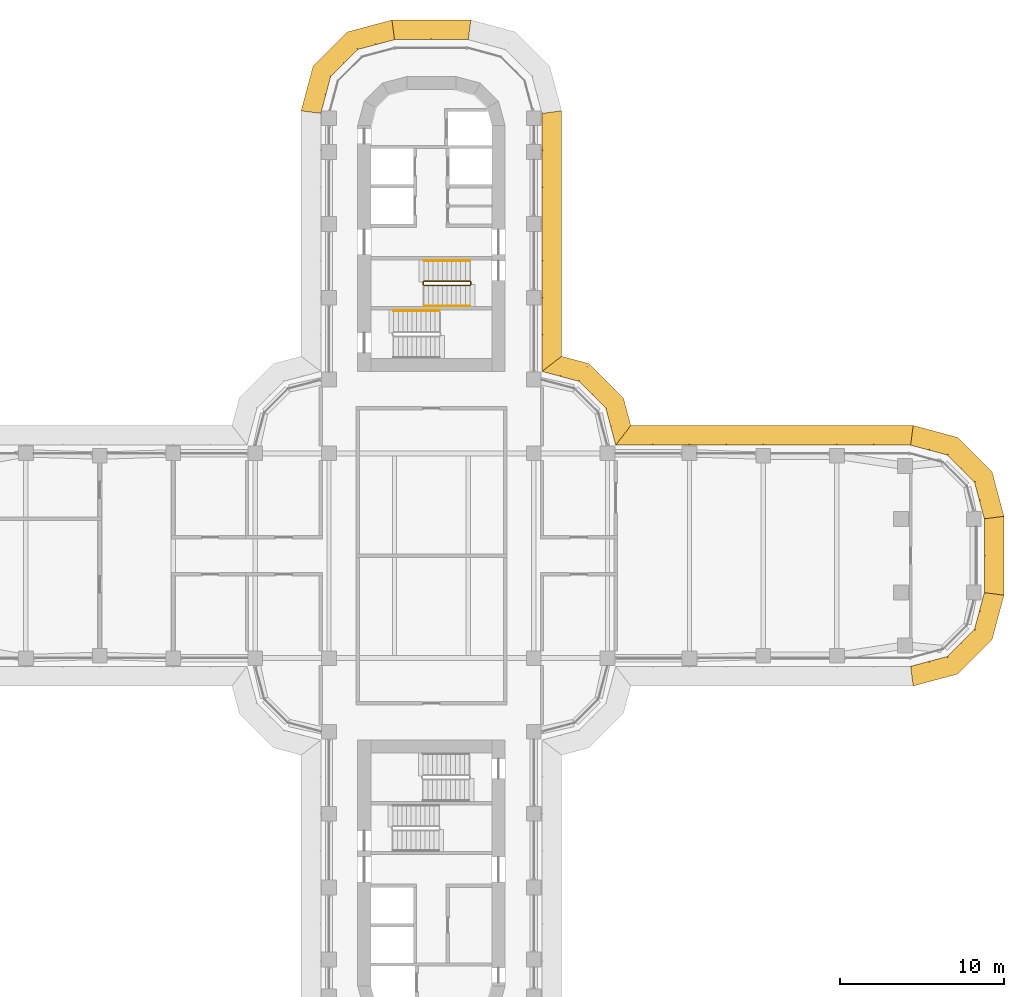
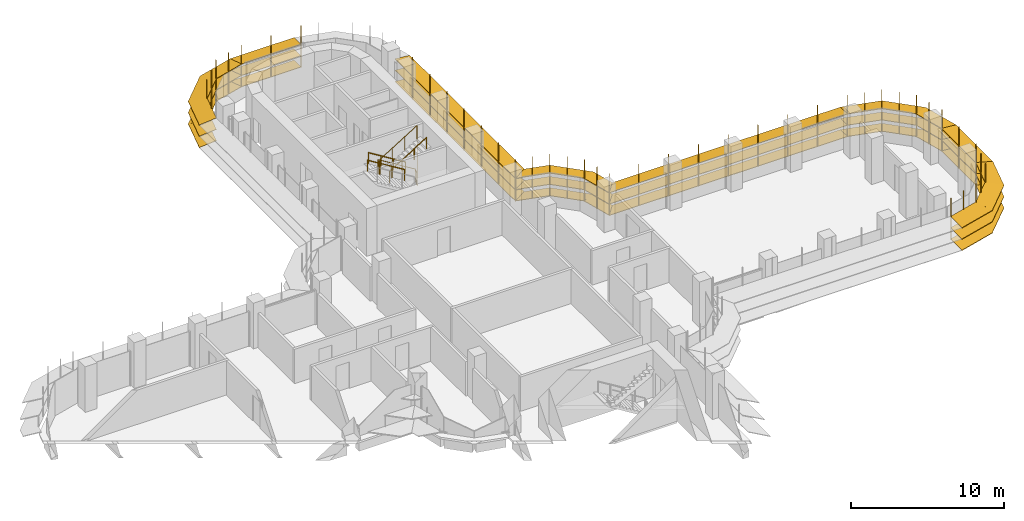
# One storey, part 20 of 21: 8 shading devices, 4 railings.
"""IFC4 building model written with IfcOpenShell, lengths in metres."""

from ifc_helpers import new_model, si_unit, direction, frame, origin, origin_2d, place, context, subcontext, project, spatial, polyline, circle, outline, extrude, faceted_brep, source, transform, mapped, material, type_object, element, save


model = new_model("IFC4")

# Units and contexts
model_context = context("Model", 3, precision=1e-05, world=origin(), true_north=direction((0.0, 1.0)))
body_context = subcontext(model_context, "Body", "Model", "MODEL_VIEW")
ifc_project = project(units=[si_unit("LENGTHUNIT", "METRE"), si_unit("AREAUNIT", "SQUARE_METRE"), si_unit("VOLUMEUNIT", "CUBIC_METRE"), si_unit("PLANEANGLEUNIT", "RADIAN"), si_unit("MASSUNIT", "GRAM", prefix="KILO")], contexts=[model_context])

# Site, building, storey
site_placement = place(None, origin())
site = spatial("IfcSite", under=ifc_project, at=site_placement, CompositionType="ELEMENT")
building_placement = place(site_placement, origin())
building = spatial("IfcBuilding", under=site, at=building_placement, Name="Zarbagh Exchange Tower", CompositionType="ELEMENT")
storey_placement = place(building_placement, frame((0.0, 0.0, 117.0)))
storey = spatial("IfcBuildingStorey", under=building, at=storey_placement, Name="L27", CompositionType="ELEMENT", Elevation=117.0)

# Railings
ifc_material_1 = material(Name="Stainless steel", Category="steel")
railing_type_1 = type_object("IfcRailingType", Name="Stair guard 1100 mm", PredefinedType="GUARDRAIL", material=ifc_material_1)
railing_1_placement = place(storey_placement, frame((-0.449951171875, 16.5, 2.07275390625)))
element("IfcRailing", 1, at=railing_1_placement, inside=storey, type_object=railing_type_1, Name="ST1 stair guard 1", PredefinedType="GUARDRAIL", context=body_context, shape_type="SweptSolid", body=[
    extrude(circle(Radius=0.02392578125, at=origin_2d()), frame((0.0, 0.0, 1.076171875), z_axis=(0.851089632645, 0.0, 0.525020415988), x_axis=(0.0, 1.0, 0.0)), (0.0, 0.0, 1.0), 3.2900390625),
    extrude(circle(Radius=0.02392578125, at=origin_2d()), frame((2.800048828125, 0.0, 2.80322265625), z_axis=(0.013104066473, 0.013168302093, -0.99982742474), x_axis=(-0.708833529934, 0.705375805398, 0.0)), (0.0, 0.0, 1.0), 3.80078125),
    extrude(circle(Radius=0.02392578125, at=origin_2d()), frame((2.849853515625, 0.050048828125, -0.99658203125), z_axis=(0.0, 1.0, 0.0), x_axis=(-1.0, 0.0, 0.0)), (0.0, 0.0, 1.0), 0.14990234375),
    extrude(circle(Radius=0.02392578125, at=origin_2d()), frame((2.849853515625, 0.199951171875, -0.99658203125), z_axis=(-0.267062837333, 0.268371968888, 0.925556009775), x_axis=(-0.708833529934, -0.705375805398, 0.0)), (0.0, 0.0, 1.0), 0.1865234375),
    extrude(circle(Radius=0.02392578125, at=origin_2d()), frame((2.800048828125, 0.25, -0.82421875), z_axis=(-0.851089632645, 0.0, 0.525020415988), x_axis=(0.0, -1.0, 0.0)), (0.0, 0.0, 1.0), 3.2900390625),
    extrude(circle(Radius=0.02392578125, at=origin_2d()), frame((0.0, 0.25, 0.9033203125), z_axis=(-0.707106781187, -0.707106781187, 0.0), x_axis=(0.707106781187, -0.707106781187, 0.0)), (0.0, 0.0, 1.0), 0.07080078125),
    extrude(circle(Radius=0.02392578125, at=origin_2d()), frame((-0.050048828125, 0.199951171875, 0.9033203125), z_axis=(0.0, -1.0, 0.0), x_axis=(1.0, 0.0, 0.0)), (0.0, 0.0, 1.0), 0.14990234375),
    extrude(circle(Radius=0.02099609375, at=origin_2d()), origin(), (0.0, 0.0, 1.0), 1.052001953125),
    extrude(circle(Radius=0.02099609375, at=origin_2d()), frame((0.933349609375, 0.0, 0.57568359375)), (0.0, 0.0, 1.0), 1.052001953125),
    extrude(circle(Radius=0.02099609375, at=origin_2d()), frame((1.86669921875, 0.0, 1.151611328125)), (0.0, 0.0, 1.0), 1.052001953125),
    extrude(circle(Radius=0.02099609375, at=origin_2d()), frame((2.800048828125, 0.0, 1.727294921875)), (0.0, 0.0, 1.0), 1.052001953125),
    extrude(circle(Radius=0.02099609375, at=origin_2d()), frame((2.8125, 0.012451171875, 0.77734375)), (0.0, 0.0, 1.0), 1.052001953125),
    extrude(circle(Radius=0.02099609375, at=origin_2d()), frame((2.824951171875, 0.02490234375, -0.1728515625)), (0.0, 0.0, 1.0), 1.052001953125),
    extrude(circle(Radius=0.02099609375, at=origin_2d()), frame((2.83740234375, 0.03759765625, -1.122802734375)), (0.0, 0.0, 1.0), 1.052001953125),
    extrude(circle(Radius=0.02099609375, at=origin_2d()), frame((2.849853515625, 0.050048828125, -2.07275390625)), (0.0, 0.0, 1.0), 1.052001953125),
    extrude(circle(Radius=0.02099609375, at=origin_2d()), frame((2.849853515625, 0.199951171875, -2.07275390625)), (0.0, 0.0, 1.0), 1.052001953125),
    extrude(circle(Radius=0.02099609375, at=origin_2d()), frame((2.800048828125, 0.25, -1.900146484375)), (0.0, 0.0, 1.0), 1.052001953125),
    extrude(circle(Radius=0.02099609375, at=origin_2d()), frame((1.86669921875, 0.25, -1.324462890625)), (0.0, 0.0, 1.0), 1.052001953125),
    extrude(circle(Radius=0.02099609375, at=origin_2d()), frame((0.933349609375, 0.25, -0.74853515625)), (0.0, 0.0, 1.0), 1.052001953125),
    extrude(circle(Radius=0.02099609375, at=origin_2d()), frame((0.0, 0.25, -0.1728515625)), (0.0, 0.0, 1.0), 1.052001953125),
    extrude(circle(Radius=0.02099609375, at=origin_2d()), frame((-0.050048828125, 0.199951171875, -0.1728515625)), (0.0, 0.0, 1.0), 1.052001953125),
    extrude(circle(Radius=0.02099609375, at=origin_2d()), frame((-0.050048828125, 0.050048828125, -0.1728515625)), (0.0, 0.0, 1.0), 1.052001953125),
])
railing_type_2 = type_object("IfcRailingType", Name="Stair handrail 900 mm", PredefinedType="HANDRAIL", material=ifc_material_1)
railing_2_placement = place(storey_placement, frame((2.35009765625, 18.0, 0.172607421875)))
element("IfcRailing", 2, at=railing_2_placement, inside=storey, type_object=railing_type_2, Name="ST1 stair handrail 1", PredefinedType="HANDRAIL", context=body_context, shape_type="SweptSolid", body=[
    extrude(circle(Radius=0.02392578125, at=origin_2d()), frame((0.0, 0.0, 0.8759765625), z_axis=(-0.851089632645, 0.0, 0.525020415988), x_axis=(0.0, -1.0, 0.0)), (0.0, 0.0, 1.0), 3.2900390625),
    extrude(circle(Radius=0.02099609375, at=origin_2d()), origin(), (0.0, 0.0, 1.0), 0.851806640625),
    extrude(circle(Radius=0.02099609375, at=origin_2d()), frame((-0.933349609375, 0.0, 0.57568359375)), (0.0, 0.0, 1.0), 0.851806640625),
    extrude(circle(Radius=0.02099609375, at=origin_2d()), frame((-1.86669921875, 0.0, 1.151611328125)), (0.0, 0.0, 1.0), 0.851806640625),
    extrude(circle(Radius=0.02099609375, at=origin_2d()), frame((-2.800048828125, 0.0, 1.727294921875)), (0.0, 0.0, 1.0), 0.851806640625),
])
railing_3_placement = place(storey_placement, frame((-0.449951171875, 15.25, 2.07275390625)))
element("IfcRailing", 3, at=railing_3_placement, inside=storey, type_object=railing_type_2, Name="ST1 stair handrail 2", PredefinedType="HANDRAIL", context=body_context, shape_type="SweptSolid", body=[
    extrude(circle(Radius=0.02392578125, at=origin_2d()), frame((0.0, 0.0, 0.8759765625), z_axis=(0.851089632645, 0.0, 0.525020415988), x_axis=(0.0, 1.0, 0.0)), (0.0, 0.0, 1.0), 3.2900390625),
    extrude(circle(Radius=0.02099609375, at=origin_2d()), origin(), (0.0, 0.0, 1.0), 0.851806640625),
    extrude(circle(Radius=0.02099609375, at=origin_2d()), frame((0.933349609375, 0.0, 0.57568359375)), (0.0, 0.0, 1.0), 0.851806640625),
    extrude(circle(Radius=0.02099609375, at=origin_2d()), frame((1.86669921875, 0.0, 1.151611328125)), (0.0, 0.0, 1.0), 0.851806640625),
    extrude(circle(Radius=0.02099609375, at=origin_2d()), frame((2.800048828125, 0.0, 1.727294921875)), (0.0, 0.0, 1.0), 0.851806640625),
])
railing_4_placement = place(storey_placement, frame((0.5, 14.949951171875, 2.07275390625)))
element("IfcRailing", 4, at=railing_4_placement, inside=storey, type_object=railing_type_2, Name="ST2 stair handrail 2", PredefinedType="HANDRAIL", context=body_context, shape_type="SweptSolid", body=[
    extrude(circle(Radius=0.02392578125, at=origin_2d()), frame((0.0, 0.0, 0.8759765625), z_axis=(-0.851089632645, 0.0, 0.525020415988), x_axis=(0.0, -1.0, 0.0)), (0.0, 0.0, 1.0), 3.2900390625),
    extrude(circle(Radius=0.02099609375, at=origin_2d()), origin(), (0.0, 0.0, 1.0), 0.851806640625),
    extrude(circle(Radius=0.02099609375, at=origin_2d()), frame((-0.933349609375, 0.0, 0.57568359375)), (0.0, 0.0, 1.0), 0.851806640625),
    extrude(circle(Radius=0.02099609375, at=origin_2d()), frame((-1.86669921875, 0.0, 1.151611328125)), (0.0, 0.0, 1.0), 0.851806640625),
    extrude(circle(Radius=0.02099609375, at=origin_2d()), frame((-2.800048828125, 0.0, 1.727294921875)), (0.0, 0.0, 1.0), 0.851806640625),
])

# Shading devices
ifc_material_2 = material(Name="Anodised aluminium blades and brackets", Category="aluminium")
shading_device_type = type_object("IfcShadingDeviceType", Name="SUNSHADE louvre band, 11.25 degree blades", PredefinedType="JALOUSIE", material=ifc_material_2)
shared_shape_1 = source(origin(), body_context, "Body", "Brep", [
    faceted_brep([(0.0, 0.0, 0.0), (0.0, 0.0, -0.040771484375), (-0.157958984375, -1.199951171875, -0.279541015625), (-0.157958984375, -1.199951171875, -0.23876953125), (2.65087890625, -1.199951171875, -0.23876953125), (2.65087890625, -1.199951171875, -0.279541015625), (2.329345703125, 0.0, -0.040771484375), (2.329345703125, 0.0, 0.0)], [[[0, 1, 2, 3]], [[4, 5, 6, 7]], [[0, 7, 6, 1]], [[1, 6, 5, 2]], [[2, 5, 4, 3]], [[3, 4, 7, 0]]]),
])
shared_shape_2 = source(origin(), body_context, "Body", "Brep", [
    faceted_brep([(0.0, 0.0, 0.0), (0.0, 0.0, -0.040771484375), (-0.321533203125, -1.199951171875, -0.279541015625), (-0.321533203125, -1.199951171875, -0.23876953125), (2.65087890625, -1.199951171875, -0.23876953125), (2.65087890625, -1.199951171875, -0.279541015625), (2.329345703125, 0.0, -0.040771484375), (2.329345703125, 0.0, 0.0)], [[[0, 1, 2, 3]], [[4, 5, 6, 7]], [[0, 7, 6, 1]], [[1, 6, 5, 2]], [[2, 5, 4, 3]], [[3, 4, 7, 0]]]),
])
shared_shape_3 = source(origin(), body_context, "Body", "Brep", [
    faceted_brep([(0.0, 0.0, 0.0), (0.0, 0.0, -0.040771484375), (-0.321533203125, -1.199951171875, -0.279541015625), (-0.321533203125, -1.199951171875, -0.23876953125), (2.4873046875, -1.199951171875, -0.23876953125), (2.4873046875, -1.199951171875, -0.279541015625), (2.329345703125, 0.0, -0.040771484375), (2.329345703125, 0.0, 0.0)], [[[0, 1, 2, 3]], [[4, 5, 6, 7]], [[0, 7, 6, 1]], [[1, 6, 5, 2]], [[2, 5, 4, 3]], [[3, 4, 7, 0]]]),
])
shared_shape_4 = source(origin(), body_context, "Body", "SweptSolid", [
    extrude(outline(polyline([(0.0, -0.012451171875), (0.06005859375, -0.012451171875), (0.06005859375, 0.012451171875), (0.0, 0.012451171875), (0.0, -0.012451171875)])), origin(), (0.0, 0.0, 1.0), 3.350830078125),
])
placement = place(storey_placement, origin())
element("IfcShadingDevice", 5, at=placement, inside=storey, type_object=shading_device_type, Name="SS05 sunshade band", PredefinedType="JALOUSIE", context=body_context, shape_type="MappedRepresentation", body=[
    mapped(shared_shape_1, transform((29.25, -6.75, 2.300048828125), x_axis=(0.965924289636, 0.258824779902, 0.0), y_axis=(-0.258824779902, 0.965924289636, 0.0), z_axis=(0.0, 0.0, 1.0))),
    mapped(shared_shape_1, transform((29.25, -6.75, 1.39990234375), x_axis=(0.965924289636, 0.258824779902, 0.0), y_axis=(-0.258824779902, 0.965924289636, 0.0), z_axis=(0.0, 0.0, 1.0))),
    mapped(shared_shape_1, transform((29.25, -6.75, 0.5), x_axis=(0.965924289636, 0.258824779902, 0.0), y_axis=(-0.258824779902, 0.965924289636, 0.0), z_axis=(0.0, 0.0, 1.0))),
    mapped(shared_shape_2, transform((31.5, -6.147216796875, 2.300048828125), x_axis=(0.707106781187, 0.707106781187, 0.0), y_axis=(-0.707106781187, 0.707106781187, 0.0), z_axis=(0.0, 0.0, 1.0))),
    mapped(shared_shape_2, transform((31.5, -6.147216796875, 1.39990234375), x_axis=(0.707106781187, 0.707106781187, 0.0), y_axis=(-0.707106781187, 0.707106781187, 0.0), z_axis=(0.0, 0.0, 1.0))),
    mapped(shared_shape_2, transform((31.5, -6.147216796875, 0.5), x_axis=(0.707106781187, 0.707106781187, 0.0), y_axis=(-0.707106781187, 0.707106781187, 0.0), z_axis=(0.0, 0.0, 1.0))),
    mapped(shared_shape_3, transform((33.147216796875, -4.5, 2.300048828125), x_axis=(0.258824779902, 0.965924289636, 0.0), y_axis=(-0.965924289636, 0.258824779902, 0.0), z_axis=(0.0, 0.0, 1.0))),
    mapped(shared_shape_3, transform((33.147216796875, -4.5, 1.39990234375), x_axis=(0.258824779902, 0.965924289636, 0.0), y_axis=(-0.965924289636, 0.258824779902, 0.0), z_axis=(0.0, 0.0, 1.0))),
    mapped(shared_shape_3, transform((33.147216796875, -4.5, 0.5), x_axis=(0.258824779902, 0.965924289636, 0.0), y_axis=(-0.965924289636, 0.258824779902, 0.0), z_axis=(0.0, 0.0, 1.0))),
    mapped(shared_shape_4, transform((29.25, -6.75, 0.42919921875), x_axis=(0.130529263012, -0.991444457092, 0.0), y_axis=(0.991444457092, 0.130529263012, 0.0), z_axis=(0.0, 0.0, 1.0))),
    mapped(shared_shape_4, transform((30.375, -6.448486328125, 0.42919921875), x_axis=(0.258825058029, -0.96592421511, 0.0), y_axis=(0.96592421511, 0.258825058029, 0.0), z_axis=(0.0, 0.0, 1.0))),
    mapped(shared_shape_4, transform((31.5, -6.147216796875, 0.42919921875), x_axis=(0.50000275701, -0.866023812018, 0.0), y_axis=(0.866023812018, 0.50000275701, 0.0), z_axis=(0.0, 0.0, 1.0))),
    mapped(shared_shape_4, transform((32.323486328125, -5.323486328125, 0.42919921875), x_axis=(0.707106781187, -0.707106781187, 0.0), y_axis=(0.707106781187, 0.707106781187, 0.0), z_axis=(0.0, 0.0, 1.0))),
    mapped(shared_shape_4, transform((33.147216796875, -4.5, 0.42919921875), x_axis=(0.866023812018, -0.50000275701, 0.0), y_axis=(0.50000275701, 0.866023812018, 0.0), z_axis=(0.0, 0.0, 1.0))),
    mapped(shared_shape_4, transform((33.448486328125, -3.375, 0.42919921875), x_axis=(0.96592421511, -0.258825058029, 0.0), y_axis=(0.258825058029, 0.96592421511, 0.0), z_axis=(0.0, 0.0, 1.0))),
])
element("IfcShadingDevice", 6, at=placement, inside=storey, type_object=shading_device_type, Name="SS07 sunshade band", PredefinedType="JALOUSIE", context=body_context, shape_type="MappedRepresentation", body=[
    mapped(shared_shape_1, transform((33.75, 2.25, 2.300048828125), x_axis=(-0.258824779902, 0.965924289636, 0.0), y_axis=(-0.965924289636, -0.258824779902, 0.0), z_axis=(0.0, 0.0, 1.0))),
    mapped(shared_shape_1, transform((33.75, 2.25, 1.39990234375), x_axis=(-0.258824779902, 0.965924289636, 0.0), y_axis=(-0.965924289636, -0.258824779902, 0.0), z_axis=(0.0, 0.0, 1.0))),
    mapped(shared_shape_1, transform((33.75, 2.25, 0.5), x_axis=(-0.258824779902, 0.965924289636, 0.0), y_axis=(-0.965924289636, -0.258824779902, 0.0), z_axis=(0.0, 0.0, 1.0))),
    mapped(shared_shape_2, transform((33.147216796875, 4.5, 2.300048828125), x_axis=(-0.707106781187, 0.707106781187, 0.0), y_axis=(-0.707106781187, -0.707106781187, 0.0), z_axis=(0.0, 0.0, 1.0))),
    mapped(shared_shape_2, transform((33.147216796875, 4.5, 1.39990234375), x_axis=(-0.707106781187, 0.707106781187, 0.0), y_axis=(-0.707106781187, -0.707106781187, 0.0), z_axis=(0.0, 0.0, 1.0))),
    mapped(shared_shape_2, transform((33.147216796875, 4.5, 0.5), x_axis=(-0.707106781187, 0.707106781187, 0.0), y_axis=(-0.707106781187, -0.707106781187, 0.0), z_axis=(0.0, 0.0, 1.0))),
    mapped(shared_shape_3, transform((31.5, 6.147216796875, 2.300048828125), x_axis=(-0.965924289636, 0.258824779902, 0.0), y_axis=(-0.258824779902, -0.965924289636, 0.0), z_axis=(0.0, 0.0, 1.0))),
    mapped(shared_shape_3, transform((31.5, 6.147216796875, 1.39990234375), x_axis=(-0.965924289636, 0.258824779902, 0.0), y_axis=(-0.258824779902, -0.965924289636, 0.0), z_axis=(0.0, 0.0, 1.0))),
    mapped(shared_shape_3, transform((31.5, 6.147216796875, 0.5), x_axis=(-0.965924289636, 0.258824779902, 0.0), y_axis=(-0.258824779902, -0.965924289636, 0.0), z_axis=(0.0, 0.0, 1.0))),
    mapped(shared_shape_4, transform((33.75, 2.25, 0.42919921875), x_axis=(0.991444457092, 0.130529263012, 0.0), y_axis=(-0.130529263012, 0.991444457092, 0.0), z_axis=(0.0, 0.0, 1.0))),
    mapped(shared_shape_4, transform((33.448486328125, 3.375, 0.42919921875), x_axis=(0.96592421511, 0.258825058029, 0.0), y_axis=(-0.258825058029, 0.96592421511, 0.0), z_axis=(0.0, 0.0, 1.0))),
    mapped(shared_shape_4, transform((33.147216796875, 4.5, 0.42919921875), x_axis=(0.866023812018, 0.50000275701, 0.0), y_axis=(-0.50000275701, 0.866023812018, 0.0), z_axis=(0.0, 0.0, 1.0))),
    mapped(shared_shape_4, transform((32.323486328125, 5.323486328125, 0.42919921875), x_axis=(0.707106781187, 0.707106781187, 0.0), y_axis=(-0.707106781187, 0.707106781187, 0.0), z_axis=(0.0, 0.0, 1.0))),
    mapped(shared_shape_4, transform((31.5, 6.147216796875, 0.42919921875), x_axis=(0.50000275701, 0.866023812018, 0.0), y_axis=(-0.866023812018, 0.50000275701, 0.0), z_axis=(0.0, 0.0, 1.0))),
    mapped(shared_shape_4, transform((30.375, 6.448486328125, 0.42919921875), x_axis=(0.258825058029, 0.96592421511, 0.0), y_axis=(-0.96592421511, 0.258825058029, 0.0), z_axis=(0.0, 0.0, 1.0))),
])
element("IfcShadingDevice", 7, at=placement, inside=storey, type_object=shading_device_type, Name="SS28 sunshade band", PredefinedType="JALOUSIE", context=body_context, shape_type="MappedRepresentation", body=[
    mapped(shared_shape_1, transform((-2.25, 31.5, 2.300048828125), x_axis=(-0.965924289636, -0.258824779902, 0.0), y_axis=(0.258824779902, -0.965924289636, 0.0), z_axis=(0.0, 0.0, 1.0))),
    mapped(shared_shape_1, transform((-2.25, 31.5, 1.39990234375), x_axis=(-0.965924289636, -0.258824779902, 0.0), y_axis=(0.258824779902, -0.965924289636, 0.0), z_axis=(0.0, 0.0, 1.0))),
    mapped(shared_shape_1, transform((-2.25, 31.5, 0.5), x_axis=(-0.965924289636, -0.258824779902, 0.0), y_axis=(0.258824779902, -0.965924289636, 0.0), z_axis=(0.0, 0.0, 1.0))),
    mapped(shared_shape_2, transform((-4.5, 30.897216796875, 2.300048828125), x_axis=(-0.707106781187, -0.707106781187, 0.0), y_axis=(0.707106781187, -0.707106781187, 0.0), z_axis=(0.0, 0.0, 1.0))),
    mapped(shared_shape_2, transform((-4.5, 30.897216796875, 1.39990234375), x_axis=(-0.707106781187, -0.707106781187, 0.0), y_axis=(0.707106781187, -0.707106781187, 0.0), z_axis=(0.0, 0.0, 1.0))),
    mapped(shared_shape_2, transform((-4.5, 30.897216796875, 0.5), x_axis=(-0.707106781187, -0.707106781187, 0.0), y_axis=(0.707106781187, -0.707106781187, 0.0), z_axis=(0.0, 0.0, 1.0))),
    mapped(shared_shape_3, transform((-6.147216796875, 29.25, 2.300048828125), x_axis=(-0.258824779902, -0.965924289636, 0.0), y_axis=(0.965924289636, -0.258824779902, 0.0), z_axis=(0.0, 0.0, 1.0))),
    mapped(shared_shape_3, transform((-6.147216796875, 29.25, 1.39990234375), x_axis=(-0.258824779902, -0.965924289636, 0.0), y_axis=(0.965924289636, -0.258824779902, 0.0), z_axis=(0.0, 0.0, 1.0))),
    mapped(shared_shape_3, transform((-6.147216796875, 29.25, 0.5), x_axis=(-0.258824779902, -0.965924289636, 0.0), y_axis=(0.965924289636, -0.258824779902, 0.0), z_axis=(0.0, 0.0, 1.0))),
    mapped(shared_shape_4, transform((-2.25, 31.5, 0.42919921875), x_axis=(-0.130529263012, 0.991444457092, 0.0), y_axis=(-0.991444457092, -0.130529263012, 0.0), z_axis=(0.0, 0.0, 1.0))),
    mapped(shared_shape_4, transform((-3.375, 31.198486328125, 0.42919921875), x_axis=(-0.258825058029, 0.96592421511, 0.0), y_axis=(-0.96592421511, -0.258825058029, 0.0), z_axis=(0.0, 0.0, 1.0))),
    mapped(shared_shape_4, transform((-4.5, 30.897216796875, 0.42919921875), x_axis=(-0.50000275701, 0.866023812018, 0.0), y_axis=(-0.866023812018, -0.50000275701, 0.0), z_axis=(0.0, 0.0, 1.0))),
    mapped(shared_shape_4, transform((-5.323486328125, 30.073486328125, 0.42919921875), x_axis=(-0.707106781187, 0.707106781187, 0.0), y_axis=(-0.707106781187, -0.707106781187, 0.0), z_axis=(0.0, 0.0, 1.0))),
    mapped(shared_shape_4, transform((-6.147216796875, 29.25, 0.42919921875), x_axis=(-0.866023812018, 0.50000275701, 0.0), y_axis=(-0.50000275701, -0.866023812018, 0.0), z_axis=(0.0, 0.0, 1.0))),
    mapped(shared_shape_4, transform((-6.448486328125, 28.125, 0.42919921875), x_axis=(-0.96592421511, 0.258825058029, 0.0), y_axis=(-0.258825058029, -0.96592421511, 0.0), z_axis=(0.0, 0.0, 1.0))),
])
shared_shape_5 = source(origin(), body_context, "Body", "Brep", [
    faceted_brep([(0.0, 0.0, 0.0), (0.0, 0.0, -0.040771484375), (0.9208984375, -1.199951171875, -0.279541015625), (0.9208984375, -1.199951171875, -0.23876953125), (2.65087890625, -1.199951171875, -0.23876953125), (2.65087890625, -1.199951171875, -0.279541015625), (2.329345703125, 0.0, -0.040771484375), (2.329345703125, 0.0, 0.0)], [[[0, 1, 2, 3]], [[4, 5, 6, 7]], [[0, 7, 6, 1]], [[1, 6, 5, 2]], [[2, 5, 4, 3]], [[3, 4, 7, 0]]]),
])
shared_shape_6 = source(origin(), body_context, "Body", "Brep", [
    faceted_brep([(0.0, 0.0, 0.0), (0.0, 0.0, -0.040771484375), (-0.321533203125, -1.199951171875, -0.279541015625), (-0.321533203125, -1.199951171875, -0.23876953125), (1.40869140625, -1.199951171875, -0.23876953125), (1.40869140625, -1.199951171875, -0.279541015625), (2.329345703125, 0.0, -0.040771484375), (2.329345703125, 0.0, 0.0)], [[[0, 1, 2, 3]], [[4, 5, 6, 7]], [[0, 7, 6, 1]], [[1, 6, 5, 2]], [[2, 5, 4, 3]], [[3, 4, 7, 0]]]),
])
element("IfcShadingDevice", 8, at=placement, inside=storey, type_object=shading_device_type, Name="SS09 sunshade band", PredefinedType="JALOUSIE", context=body_context, shape_type="MappedRepresentation", body=[
    mapped(shared_shape_5, transform((11.25, 6.75, 2.300048828125), x_axis=(-0.258824779902, 0.965924289636, 0.0), y_axis=(-0.965924289636, -0.258824779902, 0.0), z_axis=(0.0, 0.0, 1.0))),
    mapped(shared_shape_5, transform((11.25, 6.75, 1.39990234375), x_axis=(-0.258824779902, 0.965924289636, 0.0), y_axis=(-0.965924289636, -0.258824779902, 0.0), z_axis=(0.0, 0.0, 1.0))),
    mapped(shared_shape_5, transform((11.25, 6.75, 0.5), x_axis=(-0.258824779902, 0.965924289636, 0.0), y_axis=(-0.965924289636, -0.258824779902, 0.0), z_axis=(0.0, 0.0, 1.0))),
    mapped(shared_shape_2, transform((10.647216796875, 9.0, 2.300048828125), x_axis=(-0.707106781187, 0.707106781187, 0.0), y_axis=(-0.707106781187, -0.707106781187, 0.0), z_axis=(0.0, 0.0, 1.0))),
    mapped(shared_shape_2, transform((10.647216796875, 9.0, 1.39990234375), x_axis=(-0.707106781187, 0.707106781187, 0.0), y_axis=(-0.707106781187, -0.707106781187, 0.0), z_axis=(0.0, 0.0, 1.0))),
    mapped(shared_shape_2, transform((10.647216796875, 9.0, 0.5), x_axis=(-0.707106781187, 0.707106781187, 0.0), y_axis=(-0.707106781187, -0.707106781187, 0.0), z_axis=(0.0, 0.0, 1.0))),
    mapped(shared_shape_6, transform((9.0, 10.647216796875, 2.300048828125), x_axis=(-0.965924289636, 0.258824779902, 0.0), y_axis=(-0.258824779902, -0.965924289636, 0.0), z_axis=(0.0, 0.0, 1.0))),
    mapped(shared_shape_6, transform((9.0, 10.647216796875, 1.39990234375), x_axis=(-0.965924289636, 0.258824779902, 0.0), y_axis=(-0.258824779902, -0.965924289636, 0.0), z_axis=(0.0, 0.0, 1.0))),
    mapped(shared_shape_6, transform((9.0, 10.647216796875, 0.5), x_axis=(-0.965924289636, 0.258824779902, 0.0), y_axis=(-0.258824779902, -0.965924289636, 0.0), z_axis=(0.0, 0.0, 1.0))),
    mapped(shared_shape_4, transform((11.25, 6.75, 0.42919921875), x_axis=(0.608758892, 0.793355287, 0.0), y_axis=(-0.793355287, 0.608758892, 0.0), z_axis=(0.0, 0.0, 1.0))),
    mapped(shared_shape_4, transform((10.948486328125, 7.875, 0.42919921875), x_axis=(0.96592421511, 0.258825058029, 0.0), y_axis=(-0.258825058029, 0.96592421511, 0.0), z_axis=(0.0, 0.0, 1.0))),
    mapped(shared_shape_4, transform((10.647216796875, 9.0, 0.42919921875), x_axis=(0.866023812018, 0.50000275701, 0.0), y_axis=(-0.50000275701, 0.866023812018, 0.0), z_axis=(0.0, 0.0, 1.0))),
    mapped(shared_shape_4, transform((9.823486328125, 9.823486328125, 0.42919921875), x_axis=(0.707106781187, 0.707106781187, 0.0), y_axis=(-0.707106781187, 0.707106781187, 0.0), z_axis=(0.0, 0.0, 1.0))),
    mapped(shared_shape_4, transform((9.0, 10.647216796875, 0.42919921875), x_axis=(0.50000275701, 0.866023812018, 0.0), y_axis=(-0.866023812018, 0.50000275701, 0.0), z_axis=(0.0, 0.0, 1.0))),
    mapped(shared_shape_4, transform((7.875, 10.948486328125, 0.42919921875), x_axis=(0.258825058029, 0.96592421511, 0.0), y_axis=(-0.96592421511, 0.258825058029, 0.0), z_axis=(0.0, 0.0, 1.0))),
])
shared_shape_7 = source(origin(), body_context, "Body", "Brep", [
    faceted_brep([(0.0, 0.0, 0.0), (0.0, 0.0, -0.040771484375), (-0.157958984375, -1.199951171875, -0.279541015625), (-0.157958984375, -1.199951171875, -0.23876953125), (4.657958984375, -1.199951171875, -0.23876953125), (4.657958984375, -1.199951171875, -0.279541015625), (4.5, 0.0, -0.040771484375), (4.5, 0.0, 0.0)], [[[0, 1, 2, 3]], [[4, 5, 6, 7]], [[0, 7, 6, 1]], [[1, 6, 5, 2]], [[2, 5, 4, 3]], [[3, 4, 7, 0]]]),
])
element("IfcShadingDevice", 9, at=placement, inside=storey, type_object=shading_device_type, Name="SS06 sunshade band", PredefinedType="JALOUSIE", context=body_context, shape_type="MappedRepresentation", body=[
    mapped(shared_shape_7, transform((33.75, -2.25, 2.300048828125), x_axis=(0.0, 1.0, 0.0), y_axis=(-1.0, 0.0, 0.0), z_axis=(0.0, 0.0, 1.0))),
    mapped(shared_shape_7, transform((33.75, -2.25, 1.39990234375), x_axis=(0.0, 1.0, 0.0), y_axis=(-1.0, 0.0, 0.0), z_axis=(0.0, 0.0, 1.0))),
    mapped(shared_shape_7, transform((33.75, -2.25, 0.5), x_axis=(0.0, 1.0, 0.0), y_axis=(-1.0, 0.0, 0.0), z_axis=(0.0, 0.0, 1.0))),
    mapped(shared_shape_4, transform((33.75, -2.25, 0.42919921875), x_axis=(0.991444457092, -0.130529263012, 0.0), y_axis=(0.130529263012, 0.991444457092, 0.0), z_axis=(0.0, 0.0, 1.0))),
    mapped(shared_shape_4, transform((33.75, 0.0, 0.42919921875), x_axis=(1.0, 0.0, 0.0), y_axis=(0.0, 1.0, 0.0), z_axis=(0.0, 0.0, 1.0))),
])
shared_shape_8 = source(origin(), body_context, "Body", "Brep", [
    faceted_brep([(0.0, 0.0, 0.0), (0.0, 0.0, -0.040771484375), (-0.157958984375, -1.199951171875, -0.279541015625), (-0.157958984375, -1.199951171875, -0.23876953125), (17.0791015625, -1.199951171875, -0.23876953125), (17.0791015625, -1.199951171875, -0.279541015625), (18.0, 0.0, -0.040771484375), (18.0, 0.0, 0.0)], [[[0, 1, 2, 3]], [[4, 5, 6, 7]], [[0, 7, 6, 1]], [[1, 6, 5, 2]], [[2, 5, 4, 3]], [[3, 4, 7, 0]]]),
])
element("IfcShadingDevice", 10, at=placement, inside=storey, type_object=shading_device_type, Name="SS08 sunshade band", PredefinedType="JALOUSIE", context=body_context, shape_type="MappedRepresentation", body=[
    mapped(shared_shape_8, transform((29.25, 6.75, 2.300048828125), x_axis=(-1.0, 0.0, 0.0), y_axis=(0.0, -1.0, 0.0), z_axis=(0.0, 0.0, 1.0))),
    mapped(shared_shape_8, transform((29.25, 6.75, 1.39990234375), x_axis=(-1.0, 0.0, 0.0), y_axis=(0.0, -1.0, 0.0), z_axis=(0.0, 0.0, 1.0))),
    mapped(shared_shape_8, transform((29.25, 6.75, 0.5), x_axis=(-1.0, 0.0, 0.0), y_axis=(0.0, -1.0, 0.0), z_axis=(0.0, 0.0, 1.0))),
    mapped(shared_shape_4, transform((29.25, 6.75, 0.42919921875), x_axis=(0.130529263012, 0.991444457092, 0.0), y_axis=(-0.991444457092, 0.130529263012, 0.0), z_axis=(0.0, 0.0, 1.0))),
    mapped(shared_shape_4, transform((27.0, 6.75, 0.42919921875), x_axis=(0.0, 1.0, 0.0), y_axis=(-1.0, 0.0, 0.0), z_axis=(0.0, 0.0, 1.0))),
    mapped(shared_shape_4, transform((24.75, 6.75, 0.42919921875), x_axis=(0.0, 1.0, 0.0), y_axis=(-1.0, 0.0, 0.0), z_axis=(0.0, 0.0, 1.0))),
    mapped(shared_shape_4, transform((22.5, 6.75, 0.42919921875), x_axis=(0.0, 1.0, 0.0), y_axis=(-1.0, 0.0, 0.0), z_axis=(0.0, 0.0, 1.0))),
    mapped(shared_shape_4, transform((20.25, 6.75, 0.42919921875), x_axis=(0.0, 1.0, 0.0), y_axis=(-1.0, 0.0, 0.0), z_axis=(0.0, 0.0, 1.0))),
    mapped(shared_shape_4, transform((18.0, 6.75, 0.42919921875), x_axis=(0.0, 1.0, 0.0), y_axis=(-1.0, 0.0, 0.0), z_axis=(0.0, 0.0, 1.0))),
    mapped(shared_shape_4, transform((15.75, 6.75, 0.42919921875), x_axis=(0.0, 1.0, 0.0), y_axis=(-1.0, 0.0, 0.0), z_axis=(0.0, 0.0, 1.0))),
    mapped(shared_shape_4, transform((13.5, 6.75, 0.42919921875), x_axis=(0.0, 1.0, 0.0), y_axis=(-1.0, 0.0, 0.0), z_axis=(0.0, 0.0, 1.0))),
])
shared_shape_9 = source(origin(), body_context, "Body", "Brep", [
    faceted_brep([(0.0, 0.0, 0.0), (0.0, 0.0, -0.040771484375), (0.9208984375, -1.199951171875, -0.279541015625), (0.9208984375, -1.199951171875, -0.23876953125), (15.907958984375, -1.199951171875, -0.23876953125), (15.907958984375, -1.199951171875, -0.279541015625), (15.75, 0.0, -0.040771484375), (15.75, 0.0, 0.0)], [[[0, 1, 2, 3]], [[4, 5, 6, 7]], [[0, 7, 6, 1]], [[1, 6, 5, 2]], [[2, 5, 4, 3]], [[3, 4, 7, 0]]]),
])
element("IfcShadingDevice", 11, at=placement, inside=storey, type_object=shading_device_type, Name="SS25 sunshade band", PredefinedType="JALOUSIE", context=body_context, shape_type="MappedRepresentation", body=[
    mapped(shared_shape_9, transform((6.75, 11.25, 2.300048828125), x_axis=(0.0, 1.0, 0.0), y_axis=(-1.0, 0.0, 0.0), z_axis=(0.0, 0.0, 1.0))),
    mapped(shared_shape_9, transform((6.75, 11.25, 1.39990234375), x_axis=(0.0, 1.0, 0.0), y_axis=(-1.0, 0.0, 0.0), z_axis=(0.0, 0.0, 1.0))),
    mapped(shared_shape_9, transform((6.75, 11.25, 0.5), x_axis=(0.0, 1.0, 0.0), y_axis=(-1.0, 0.0, 0.0), z_axis=(0.0, 0.0, 1.0))),
    mapped(shared_shape_4, transform((6.75, 11.25, 0.42919921875), x_axis=(0.793355287, 0.608758892, 0.0), y_axis=(-0.608758892, 0.793355287, 0.0), z_axis=(0.0, 0.0, 1.0))),
    mapped(shared_shape_4, transform((6.75, 13.5, 0.42919921875), x_axis=(1.0, 0.0, 0.0), y_axis=(0.0, 1.0, 0.0), z_axis=(0.0, 0.0, 1.0))),
    mapped(shared_shape_4, transform((6.75, 15.75, 0.42919921875), x_axis=(1.0, 0.0, 0.0), y_axis=(0.0, 1.0, 0.0), z_axis=(0.0, 0.0, 1.0))),
    mapped(shared_shape_4, transform((6.75, 18.0, 0.42919921875), x_axis=(1.0, 0.0, 0.0), y_axis=(0.0, 1.0, 0.0), z_axis=(0.0, 0.0, 1.0))),
    mapped(shared_shape_4, transform((6.75, 20.25, 0.42919921875), x_axis=(1.0, 0.0, 0.0), y_axis=(0.0, 1.0, 0.0), z_axis=(0.0, 0.0, 1.0))),
    mapped(shared_shape_4, transform((6.75, 22.5, 0.42919921875), x_axis=(1.0, 0.0, 0.0), y_axis=(0.0, 1.0, 0.0), z_axis=(0.0, 0.0, 1.0))),
    mapped(shared_shape_4, transform((6.75, 24.75, 0.42919921875), x_axis=(1.0, 0.0, 0.0), y_axis=(0.0, 1.0, 0.0), z_axis=(0.0, 0.0, 1.0))),
])
element("IfcShadingDevice", 12, at=placement, inside=storey, type_object=shading_device_type, Name="SS27 sunshade band", PredefinedType="JALOUSIE", context=body_context, shape_type="MappedRepresentation", body=[
    mapped(shared_shape_7, transform((2.25, 31.5, 2.300048828125), x_axis=(-1.0, 0.0, 0.0), y_axis=(0.0, -1.0, 0.0), z_axis=(0.0, 0.0, 1.0))),
    mapped(shared_shape_7, transform((2.25, 31.5, 1.39990234375), x_axis=(-1.0, 0.0, 0.0), y_axis=(0.0, -1.0, 0.0), z_axis=(0.0, 0.0, 1.0))),
    mapped(shared_shape_7, transform((2.25, 31.5, 0.5), x_axis=(-1.0, 0.0, 0.0), y_axis=(0.0, -1.0, 0.0), z_axis=(0.0, 0.0, 1.0))),
    mapped(shared_shape_4, transform((2.25, 31.5, 0.42919921875), x_axis=(0.130529263012, 0.991444457092, 0.0), y_axis=(-0.991444457092, 0.130529263012, 0.0), z_axis=(0.0, 0.0, 1.0))),
    mapped(shared_shape_4, transform((0.0, 31.5, 0.42919921875), x_axis=(0.0, 1.0, 0.0), y_axis=(-1.0, 0.0, 0.0), z_axis=(0.0, 0.0, 1.0))),
])

save(model, "model.ifc")
